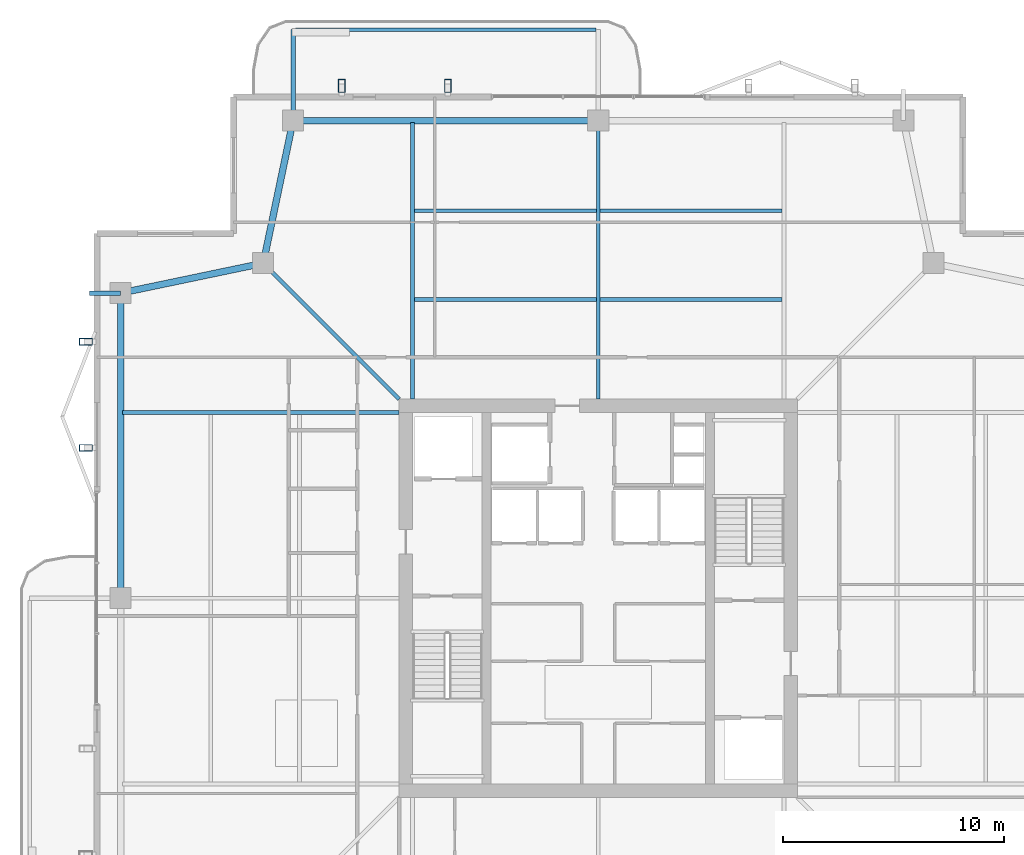
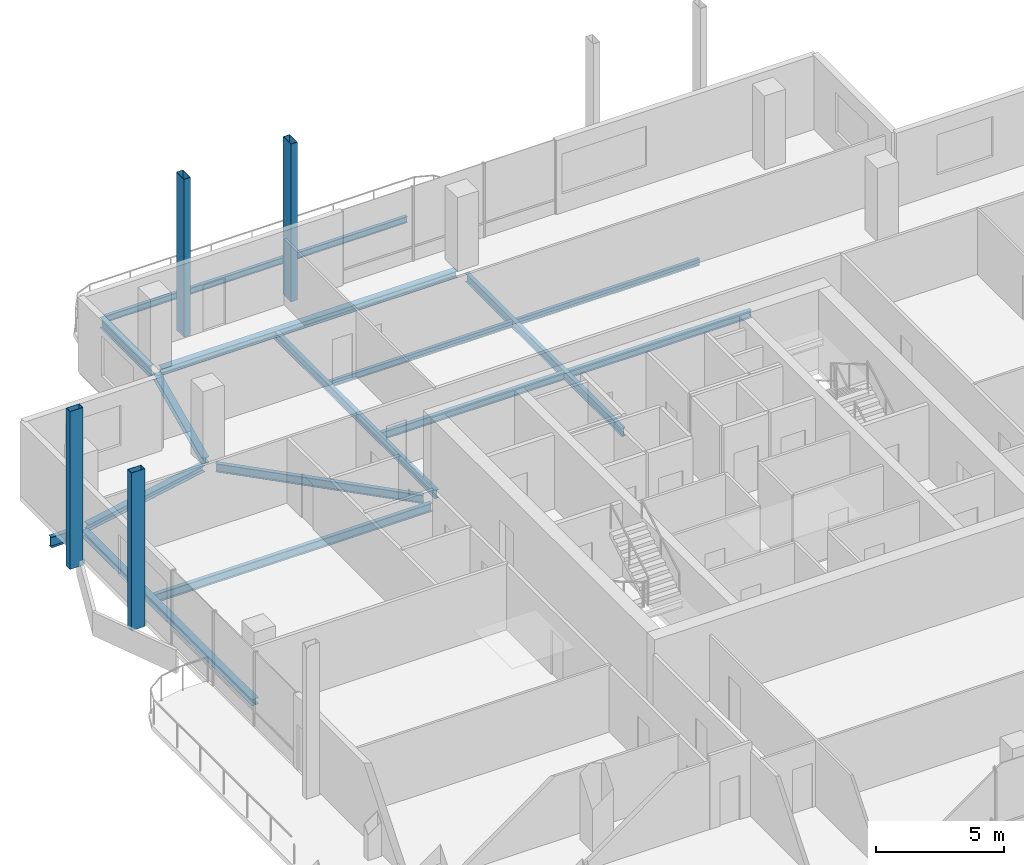
# One storey, part 10 of 20: 15 beams, 4 members.
"""IFC4 building model written with IfcOpenShell, lengths in metres."""

from ifc_helpers import new_model, si_unit, direction, frame, origin, origin_2d, place, context, subcontext, project, spatial, hollow_rectangle, i_section, extrude, material, material_profile, profile_set, type_object, element, save


model = new_model("IFC4")

# Units and contexts
model_context = context("Model", 3, precision=1e-05, world=origin(), true_north=direction((0.0, 1.0)))
body_context = subcontext(model_context, "Body", "Model", "MODEL_VIEW")
ifc_project = project(units=[si_unit("LENGTHUNIT", "METRE"), si_unit("AREAUNIT", "SQUARE_METRE"), si_unit("VOLUMEUNIT", "CUBIC_METRE"), si_unit("PLANEANGLEUNIT", "RADIAN"), si_unit("MASSUNIT", "GRAM", prefix="KILO")], contexts=[model_context])

# Site, building, storey
site_placement = place(None, origin())
site = spatial("IfcSite", under=ifc_project, at=site_placement, CompositionType="ELEMENT")
building_placement = place(site_placement, origin())
building = spatial("IfcBuilding", under=site, at=building_placement, Name="Belovzor Exchange Tower", CompositionType="ELEMENT")
storey_placement = place(building_placement, frame((0.0, 0.0, 321.75)))
storey = spatial("IfcBuildingStorey", under=building, at=storey_placement, Name="L80", CompositionType="ELEMENT", Elevation=321.75)

# Beams
ifc_material_1 = material(Name="Steel S355", Category="steel")
ifc_material_profile_1 = material_profile(ifc_material_1, i_section(OverallWidth=0.199951171875, OverallDepth=0.5, WebThickness=0.01025390625, FlangeThickness=0.01611328125, at=origin_2d()))
ifc_profile_set_1 = profile_set([ifc_material_profile_1], Name="Steel S355")
beam_type_1 = type_object("IfcBeamType", Name="Planted Balcony Cantilever Beam IPE 500", PredefinedType="BEAM", material=ifc_profile_set_1)
beam_1_placement = place(storey_placement, frame((15.0, 50.660888671875, -0.489990234375), z_axis=(0.0, 1.0, 0.0), x_axis=(-1.0, 0.0, 0.0)))
element("IfcBeam", 1, at=beam_1_placement, inside=storey, type_object=beam_type_1, Name="BC-500 Planted Balcony Cantilever Beam IPE 500", PredefinedType="BEAM", context=body_context, shape_type="SweptSolid", body=[
    extrude(i_section(OverallWidth=0.199951171875, OverallDepth=0.5, WebThickness=0.01025390625, FlangeThickness=0.01611328125, at=origin_2d()), origin(), (0.0, 0.0, 1.0), 3.85009765625),
])
beam_2_placement = place(storey_placement, frame((7.199951171875, 42.60009765625, -0.489990234375), z_axis=(-1.0, 0.0, 0.0), x_axis=(0.0, -1.0, 0.0)))
element("IfcBeam", 2, at=beam_2_placement, inside=storey, type_object=beam_type_1, Name="BC-500 Planted Balcony Cantilever Beam IPE 500", PredefinedType="BEAM", context=body_context, shape_type="SweptSolid", body=[
    extrude(i_section(OverallWidth=0.199951171875, OverallDepth=0.5, WebThickness=0.01025390625, FlangeThickness=0.01611328125, at=origin_2d()), origin(), (0.0, 0.0, 1.0), 1.39990234375),
])
ifc_material_2 = material(Name="Steel S355", Category="steel")
ifc_material_profile_2 = material_profile(ifc_material_2, i_section(OverallWidth=0.14990234375, OverallDepth=0.300048828125, WebThickness=0.007080078125, FlangeThickness=0.0107421875, at=origin_2d()))
ifc_profile_set_2 = profile_set([ifc_material_profile_2], Name="Steel S355")
beam_type_2 = type_object("IfcBeamType", Name="Planted Balcony Fascia Edge Beam IPE 300", PredefinedType="BEAM", material=ifc_profile_set_2)
beam_3_placement = place(storey_placement, frame((28.699951171875, 54.510986328125, -0.389892578125), z_axis=(-1.0, 0.0, 0.0), x_axis=(0.0, -1.0, 0.0)))
element("IfcBeam", 3, at=beam_3_placement, inside=storey, type_object=beam_type_2, Name="BC-300 Planted Balcony Fascia Edge Beam IPE 300", PredefinedType="BEAM", context=body_context, shape_type="SweptSolid", body=[
    extrude(i_section(OverallWidth=0.14990234375, OverallDepth=0.300048828125, WebThickness=0.007080078125, FlangeThickness=0.0107421875, at=origin_2d()), origin(), (0.0, 0.0, 1.0), 13.599853515625),
])
ifc_material_3 = material(Name="Steel S355", Category="steel")
ifc_material_profile_3 = material_profile(ifc_material_3, i_section(OverallWidth=0.169921875, OverallDepth=0.360107421875, WebThickness=0.008056640625, FlangeThickness=0.0126953125, at=origin_2d()))
ifc_profile_set_3 = profile_set([ifc_material_profile_3], Name="Steel S355")
beam_type_3 = type_object("IfcBeamType", Name="Secondary Infill Floor Joist IPE 360", PredefinedType="BEAM", material=ifc_profile_set_3)
beam_4_placement = place(storey_placement, frame((20.489990234375, 42.30908203125, -0.419921875), z_axis=(1.0, 0.0, 0.0), x_axis=(0.0, 1.0, 0.0)))
element("IfcBeam", 4, at=beam_4_placement, inside=storey, type_object=beam_type_3, Name="FJ-360 Secondary Infill Floor Joist IPE 360", PredefinedType="BEAM", context=body_context, shape_type="SweptSolid", body=[
    extrude(i_section(OverallWidth=0.169921875, OverallDepth=0.360107421875, WebThickness=0.008056640625, FlangeThickness=0.0126953125, at=origin_2d()), origin(), (0.0, 0.0, 1.0), 8.219970703125),
])
beam_5_placement = place(storey_placement, frame((28.889892578125, 42.30908203125, -0.419921875), z_axis=(1.0, 0.0, 0.0), x_axis=(0.0, 1.0, 0.0)))
element("IfcBeam", 5, at=beam_5_placement, inside=storey, type_object=beam_type_3, Name="FJ-360 Secondary Infill Floor Joist IPE 360", PredefinedType="BEAM", context=body_context, shape_type="SweptSolid", body=[
    extrude(i_section(OverallWidth=0.169921875, OverallDepth=0.360107421875, WebThickness=0.008056640625, FlangeThickness=0.0126953125, at=origin_2d()), origin(), (0.0, 0.0, 1.0), 8.22021484375),
])
ifc_material_4 = material(Name="Steel S355", Category="steel")
ifc_material_profile_4 = material_profile(ifc_material_4, i_section(OverallWidth=0.14990234375, OverallDepth=0.300048828125, WebThickness=0.007080078125, FlangeThickness=0.0107421875, at=origin_2d()))
ifc_profile_set_4 = profile_set([ifc_material_profile_4], Name="Steel S355")
beam_type_4 = type_object("IfcBeamType", Name="Secondary Trim Floor Joist IPE 300", PredefinedType="BEAM", material=ifc_profile_set_4)
beam_6_placement = place(storey_placement, frame((20.489990234375, 46.31689453125, -0.389892578125), z_axis=(1.0, 0.0, 0.0), x_axis=(0.0, 1.0, 0.0)))
element("IfcBeam", 6, at=beam_6_placement, inside=storey, type_object=beam_type_4, Name="FJ-300 Secondary Trim Floor Joist IPE 300", PredefinedType="BEAM", context=body_context, shape_type="SweptSolid", body=[
    extrude(i_section(OverallWidth=0.14990234375, OverallDepth=0.300048828125, WebThickness=0.007080078125, FlangeThickness=0.0107421875, at=origin_2d()), origin(), (0.0, 0.0, 1.0), 8.219970703125),
])
beam_7_placement = place(storey_placement, frame((28.889892578125, 46.31689453125, -0.389892578125), z_axis=(1.0, 0.0, 0.0), x_axis=(0.0, 1.0, 0.0)))
element("IfcBeam", 7, at=beam_7_placement, inside=storey, type_object=beam_type_4, Name="FJ-300 Secondary Trim Floor Joist IPE 300", PredefinedType="BEAM", context=body_context, shape_type="SweptSolid", body=[
    extrude(i_section(OverallWidth=0.14990234375, OverallDepth=0.300048828125, WebThickness=0.007080078125, FlangeThickness=0.0107421875, at=origin_2d()), origin(), (0.0, 0.0, 1.0), 8.22021484375),
])

# Members
ifc_material_5 = material(Name="Extruded Architectural Terracotta on Steel S355 Carrier", Category="masonry")
ifc_material_profile_5 = material_profile(ifc_material_5, hollow_rectangle(XDim=0.300048828125, YDim=0.60009765625, WallThickness=0.01611328125, at=origin_2d()))
ifc_profile_set_5 = profile_set([ifc_material_profile_5], Name="Extruded Architectural Terracotta on Steel S355 Carrier")
member_type = type_object("IfcMemberType", Name="Upper Crown Terracotta Fin Assembly 550", PredefinedType="USERDEFINED", material=ifc_profile_set_5)
for number, where, z_axis, x_axis, name in (
    (8, (17.199951171875, 51.97509765625, -0.239990234375), (0.0, 0.0, 1.0), (1.0, 0.0, 0.0), "FIN-TC055 Terracotta Facade Fin L80 N1"),
    (9, (22.0, 51.97509765625, -0.239990234375), (0.0, 0.0, 1.0), (1.0, 0.0, 0.0), "FIN-TC055 Terracotta Facade Fin L80 N2"),
    (10, (5.625, 35.60009765625, -0.239990234375), (0.0, 0.0, 1.0), (0.0, 1.0, 0.0), "FIN-TC055 Terracotta Facade Fin L80 W3"),
    (11, (5.625, 40.39990234375, -0.239990234375), (0.0, 0.0, 1.0), (0.0, 1.0, 0.0), "FIN-TC055 Terracotta Facade Fin L80 W4"),
):
    element("IfcMember", number, at=place(storey_placement, frame(where, z_axis=z_axis, x_axis=x_axis)), inside=storey, type_object=member_type, Name=name, ObjectType="FIN", PredefinedType="USERDEFINED", context=body_context, shape_type="SweptSolid", body=[
        extrude(hollow_rectangle(XDim=0.300048828125, YDim=0.60009765625, WallThickness=0.01611328125, at=origin_2d()), origin(), (0.0, 0.0, 1.0), 7.5),
    ])

# Beams
ifc_material_6 = material(Name="Steel S355", Category="steel")
ifc_material_profile_6 = material_profile(ifc_material_6, i_section(OverallWidth=0.179931640625, OverallDepth=0.39990234375, WebThickness=0.008544921875, FlangeThickness=0.013427734375, at=origin_2d()))
ifc_profile_set_6 = profile_set([ifc_material_profile_6], Name="Steel S355")
beam_type_5 = type_object("IfcBeamType", Name="Zone 5-6 Radial Composite Floor Beam IPE 400", PredefinedType="BEAM", material=ifc_profile_set_6)
beam_8_placement = place(storey_placement, frame((20.39990234375, 37.800048828125, -0.43994140625), z_axis=(0.0, 1.0, 0.0), x_axis=(-1.0, 0.0, 0.0)))
element("IfcBeam", 12, at=beam_8_placement, inside=storey, type_object=beam_type_5, Name="FB-400 Zone 5-6 Radial Composite Floor Beam IPE 400", PredefinedType="BEAM", context=body_context, shape_type="SweptSolid", body=[
    extrude(i_section(OverallWidth=0.179931640625, OverallDepth=0.39990234375, WebThickness=0.008544921875, FlangeThickness=0.013427734375, at=origin_2d()), origin(), (0.0, 0.0, 1.0), 12.52490234375),
])
beam_9_placement = place(storey_placement, frame((28.800048828125, 37.800048828125, -0.43994140625), z_axis=(0.0, 1.0, 0.0), x_axis=(-1.0, 0.0, 0.0)))
element("IfcBeam", 13, at=beam_9_placement, inside=storey, type_object=beam_type_5, Name="FB-400 Zone 5-6 Radial Composite Floor Beam IPE 400", PredefinedType="BEAM", context=body_context, shape_type="SweptSolid", body=[
    extrude(i_section(OverallWidth=0.179931640625, OverallDepth=0.39990234375, WebThickness=0.008544921875, FlangeThickness=0.013427734375, at=origin_2d()), origin(), (0.0, 0.0, 1.0), 12.181884765625),
])
beam_10_placement = place(storey_placement, frame((19.800048828125, 37.199951171875, -0.43994140625), z_axis=(-1.0, 0.0, 0.0), x_axis=(0.0, -1.0, 0.0)))
element("IfcBeam", 14, at=beam_10_placement, inside=storey, type_object=beam_type_5, Name="FB-400 Zone 5-6 Radial Composite Floor Beam IPE 400", PredefinedType="BEAM", context=body_context, shape_type="SweptSolid", body=[
    extrude(i_section(OverallWidth=0.179931640625, OverallDepth=0.39990234375, WebThickness=0.008544921875, FlangeThickness=0.013427734375, at=origin_2d()), origin(), (0.0, 0.0, 1.0), 12.525146484375),
])
beam_11_placement = place(storey_placement, frame((19.800048828125, 37.800048828125, -0.43994140625), z_axis=(-0.707062982569, 0.707150577091, 0.0), x_axis=(-0.707150577091, -0.707062982569, 0.0)))
element("IfcBeam", 15, at=beam_11_placement, inside=storey, type_object=beam_type_5, Name="FB-400 Zone 5-6 Radial Composite Floor Beam IPE 400", PredefinedType="BEAM", context=body_context, shape_type="SweptSolid", body=[
    extrude(i_section(OverallWidth=0.179931640625, OverallDepth=0.39990234375, WebThickness=0.008544921875, FlangeThickness=0.013427734375, at=origin_2d()), origin(), (0.0, 0.0, 1.0), 8.361572265625),
])
ifc_material_7 = material(Name="Steel S355", Category="steel")
ifc_material_profile_7 = material_profile(ifc_material_7, i_section(OverallWidth=0.300048828125, OverallDepth=0.300048828125, WebThickness=0.008544921875, FlangeThickness=0.013916015625, at=origin_2d()))
ifc_profile_set_7 = profile_set([ifc_material_profile_7], Name="Steel S355")
beam_type_6 = type_object("IfcBeamType", Name="Zone 6 Primary Girder HEA 300", PredefinedType="BEAM", material=ifc_profile_set_7)
beam_12_placement = place(storey_placement, frame((28.5390625, 50.39990234375, -0.389892578125), z_axis=(-1.0, 0.0, 0.0), x_axis=(0.0, -1.0, 0.0)))
element("IfcBeam", 16, at=beam_12_placement, inside=storey, type_object=beam_type_6, Name="FG-Z6 Zone 6 Primary Girder HEA 300", PredefinedType="BEAM", context=body_context, shape_type="SweptSolid", body=[
    extrude(i_section(OverallWidth=0.300048828125, OverallDepth=0.300048828125, WebThickness=0.008544921875, FlangeThickness=0.013916015625, at=origin_2d()), origin(), (0.0, 0.0, 1.0), 13.278076171875),
])
for number, where, z_axis, x_axis, name in (
    (17, (14.946044921875, 50.14404296875, -0.389892578125), (-0.204722380619, -0.978820078908, 0.0), (0.978820078908, -0.204722380619, 0.0), "FG-Z6 Zone 6 Primary Girder HEA 300"),
    (18, (13.39404296875, 43.89599609375, -0.389892578125), (-0.978820078908, -0.204722380619, 0.0), (0.204722380619, -0.978820078908, 0.0), "FG-Z6 Zone 6 Primary Girder HEA 300"),
):
    element("IfcBeam", number, at=place(storey_placement, frame(where, z_axis=z_axis, x_axis=x_axis)), inside=storey, type_object=beam_type_6, Name=name, PredefinedType="BEAM", context=body_context, shape_type="SweptSolid", body=[
        extrude(i_section(OverallWidth=0.300048828125, OverallDepth=0.300048828125, WebThickness=0.008544921875, FlangeThickness=0.013916015625, at=origin_2d()), origin(), (0.0, 0.0, 1.0), 6.06640625),
    ])
beam_13_placement = place(storey_placement, frame((7.199951171875, 42.339111328125, -0.389892578125), z_axis=(0.0, -1.0, 0.0), x_axis=(1.0, 0.0, 0.0)))
element("IfcBeam", 19, at=beam_13_placement, inside=storey, type_object=beam_type_6, Name="FG-Z6 Zone 6 Primary Girder HEA 300", PredefinedType="BEAM", context=body_context, shape_type="SweptSolid", body=[
    extrude(i_section(OverallWidth=0.300048828125, OverallDepth=0.300048828125, WebThickness=0.008544921875, FlangeThickness=0.013916015625, at=origin_2d()), origin(), (0.0, 0.0, 1.0), 13.278076171875),
])

save(model, "model.ifc")
